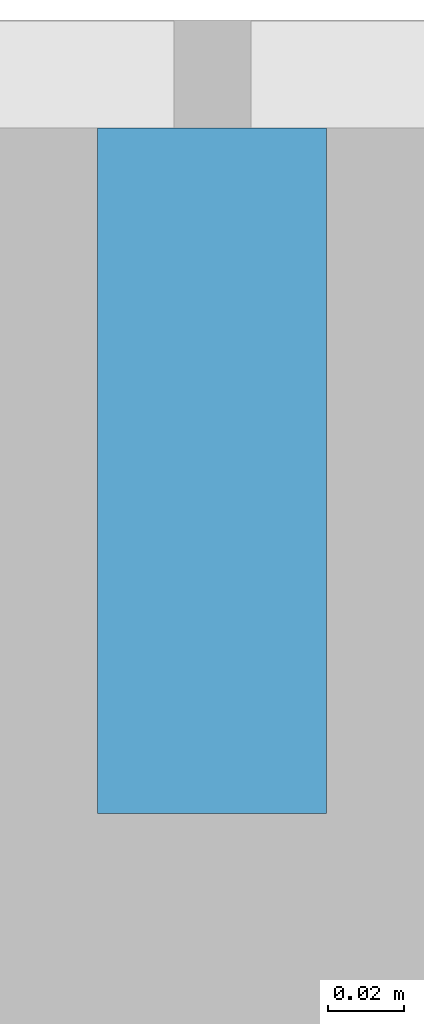
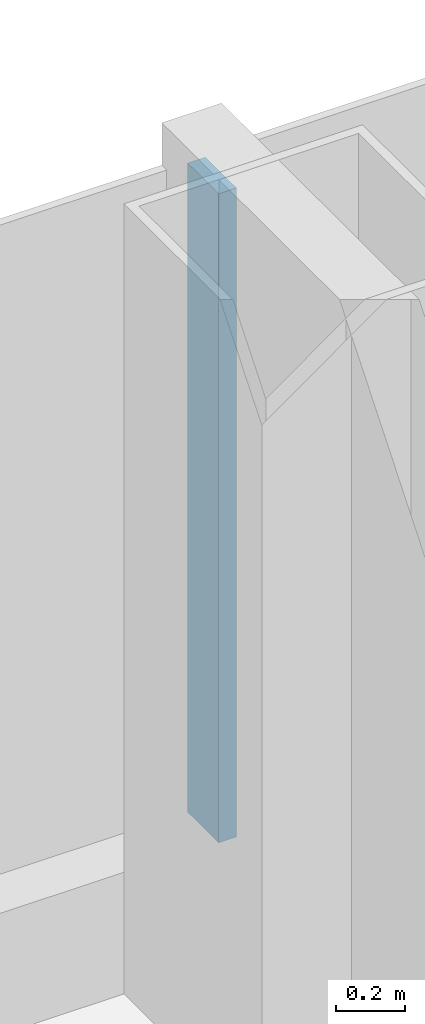
# One storey, part 10 of 29: 1 member, 1 element without a shape of its own.
"""IFC4 building model written with IfcOpenShell, lengths in metres."""

from ifc_helpers import new_model, si_unit, direction, frame, origin, origin_2d, place, context, subcontext, project, spatial, rectangle, extrude, material, layer, layer_set, material_profile, profile_set, type_object, element, aggregate, save


model = new_model("IFC4")

# Units and contexts
model_context = context("Model", 3, precision=1e-05, world=origin(), true_north=direction((0.0, 1.0)))
body_context = subcontext(model_context, "Body", "Model", "MODEL_VIEW")
ifc_project = project(units=[si_unit("LENGTHUNIT", "METRE"), si_unit("AREAUNIT", "SQUARE_METRE"), si_unit("VOLUMEUNIT", "CUBIC_METRE"), si_unit("PLANEANGLEUNIT", "RADIAN"), si_unit("MASSUNIT", "GRAM", prefix="KILO")], contexts=[model_context])

# Site, building, storey
site_placement = place(None, origin())
site = spatial("IfcSite", under=ifc_project, at=site_placement, CompositionType="ELEMENT")
building_placement = place(site_placement, origin())
building = spatial("IfcBuilding", under=site, at=building_placement, Name="Hakoniwa Tower and Hamabe Station Hall", CompositionType="ELEMENT")
storey_placement = place(building_placement, frame((0.0, 0.0, 91.39990234375)))
storey = spatial("IfcBuildingStorey", under=building, at=storey_placement, Name="L25", CompositionType="ELEMENT", Elevation=91.39990234375)

# Curtain wall, member
ifc_material_1 = material(Name="Dark low-e laminated glass", Category="glass")
ifc_layer = layer(ifc_material_1, 0.199951171875)
ifc_layer_set = layer_set([ifc_layer], Name="CW-1 UNITISED GUEST")
curtain_wall_type = type_object("IfcCurtainWallType", Name="CW-1 UNITISED GUEST", PredefinedType="NOTDEFINED", material=ifc_layer_set)
curtain_wall_placement = place(storey_placement, origin())
curtain_wall = element("IfcCurtainWall", 1, at=curtain_wall_placement, inside=storey, type_object=curtain_wall_type, Name="CW-1 curtain wall", PredefinedType="NOTDEFINED")
ifc_material_2 = material(Name="Aluminium 6063-T5 black anodised", Category="aluminium")
ifc_material_profile = material_profile(ifc_material_2, rectangle(XDim=0.06005859375, YDim=0.179931640625, at=origin_2d()), Name="CW-1 MULLION 60X180")
ifc_profile_set = profile_set([ifc_material_profile], Name="Aluminium 6063-T5 black anodised")
member_type = type_object("IfcMemberType", Name="CW-1 MULLION 60X180", PredefinedType="MULLION", material=ifc_profile_set)
member_placement = place(storey_placement, frame((8.39990234375, 23.431884765625, 0.35009765625), z_axis=(0.0, 0.0, 1.0), x_axis=(-1.0, 0.0, 0.0)))
member = element("IfcMember", 2, at=member_placement, type_object=member_type, Name="CW-1 mullion", PredefinedType="MULLION", context=body_context, shape_type="SweptSolid", body=[
    extrude(rectangle(XDim=0.06005859375, YDim=0.179931640625, at=origin_2d()), origin(), (0.0, 0.0, 1.0), 2.300048828125),
])
aggregate(curtain_wall, [member])

save(model, "model.ifc")
